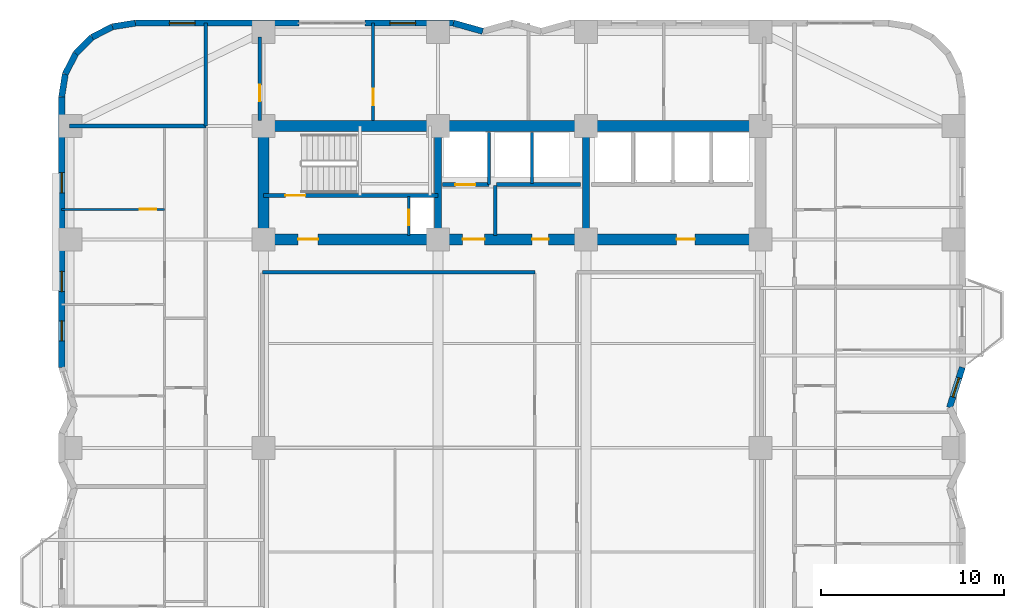
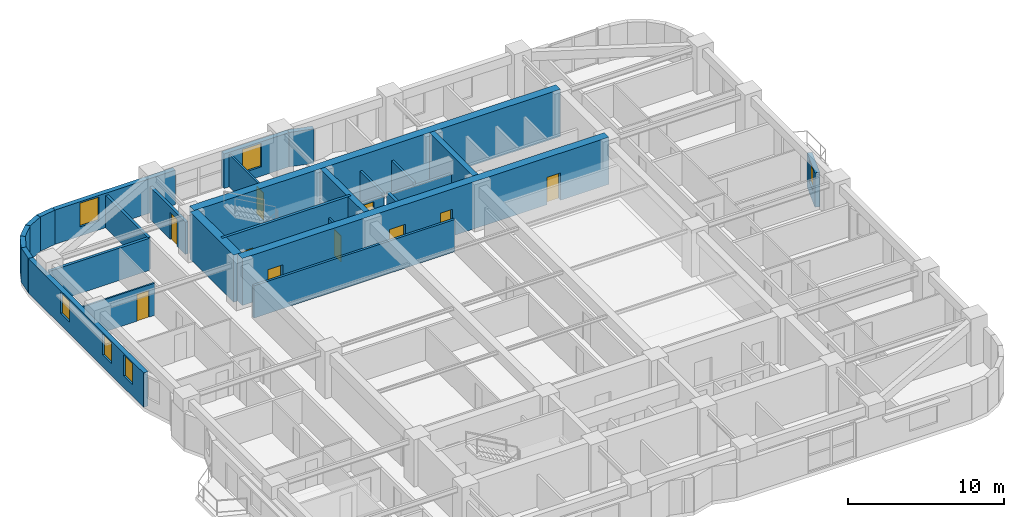
# One storey, part 9 of 13: 28 walls, 10 doors, 6 windows, 16 openings.
"""IFC4 building model written with IfcOpenShell, lengths in metres."""

from ifc_helpers import new_model, si_unit, direction, frame, frame_2d, origin, place, context, subcontext, project, spatial, rectangle, extrude, material, layer, layer_set, type_object, element, fill, save


model = new_model("IFC4")

# Units and contexts
model_context = context("Model", 3, precision=1e-05, world=origin(), true_north=direction((0.0, 1.0)))
body_context = subcontext(model_context, "Body", "Model", "MODEL_VIEW")
ifc_project = project(units=[si_unit("LENGTHUNIT", "METRE"), si_unit("AREAUNIT", "SQUARE_METRE"), si_unit("VOLUMEUNIT", "CUBIC_METRE"), si_unit("PLANEANGLEUNIT", "RADIAN"), si_unit("MASSUNIT", "GRAM", prefix="KILO")], contexts=[model_context])

# Site, building, storey
site_placement = place(None, origin())
site = spatial("IfcSite", under=ifc_project, at=site_placement, CompositionType="ELEMENT")
building_placement = place(site_placement, origin())
building = spatial("IfcBuilding", under=site, at=building_placement, Name="Svetorya Sky Lyceum", CompositionType="ELEMENT")
storey_placement = place(building_placement, frame((0.0, 0.0, 58.39990234375)))
storey = spatial("IfcBuildingStorey", under=building, at=storey_placement, Name="L14", CompositionType="ELEMENT", Elevation=58.39990234375)

# Walls
ifc_material_1 = material(Name="Concrete C40/50", Category="concrete")
ifc_layer_1 = layer(ifc_material_1, 0.39990234375)
ifc_layer_set_1 = layer_set([ifc_layer_1], Name="Concrete C40/50")
wall_type_1 = type_object("IfcWallType", Name="WL-CORE-400", PredefinedType="SHEAR", material=ifc_layer_set_1)
for number, where, z_axis, x_axis, name in (
    (1, (35.14990234375, 39.89990234375, 0.0), (0.0, 0.0, 1.0), (0.0, 1.0, 0.0), "L14 NC Internal Shear Web WEB1"),
    (2, (43.25, 39.89990234375, 0.0), (0.0, 0.0, 1.0), (0.0, 1.0, 0.0), "L14 NC Internal Shear Web WEB2"),
):
    element("IfcWall", number, at=place(storey_placement, frame(where, z_axis=z_axis, x_axis=x_axis)), inside=storey, type_object=wall_type_1, Name=name, PredefinedType="SHEAR", context=body_context, shape_type="SweptSolid", body=[
        extrude(rectangle(XDim=5.60009765625, YDim=0.39990234375, at=frame_2d((2.800048828125, 0.0))), origin(), (0.0, 0.0, 1.0), 3.7001953125),
    ])
ifc_material_2 = material(Name="Concrete C60/75", Category="concrete")
ifc_layer_2 = layer(ifc_material_2, 0.60009765625)
ifc_layer_set_2 = layer_set([ifc_layer_2], Name="Concrete C60/75")
wall_type_2 = type_object("IfcWallType", Name="WL-CORE-600", PredefinedType="SHEAR", material=ifc_layer_set_2)
wall_1_placement = place(storey_placement, frame((25.60009765625, 45.800048828125, 0.0), z_axis=(0.0, 0.0, 1.0), x_axis=(1.0, 0.0, 0.0)))
element("IfcWall", 3, at=wall_1_placement, inside=storey, type_object=wall_type_2, Name="L14 NC Outer Core Shear Wall", PredefinedType="SHEAR", context=body_context, shape_type="SweptSolid", body=[
    extrude(rectangle(XDim=27.199951171875, YDim=0.60009765625, at=frame_2d((13.60009765625, 0.0))), origin(), (0.0, 0.0, 1.0), 3.7001953125),
])
wall_2_placement = place(storey_placement, frame((25.60009765625, 39.89990234375, 0.0), z_axis=(0.0, 0.0, 1.0), x_axis=(0.0, 1.0, 0.0)))
element("IfcWall", 4, at=wall_2_placement, inside=storey, type_object=wall_type_2, Name="L14 NC West Core Shear Wall", PredefinedType="SHEAR", context=body_context, shape_type="SweptSolid", body=[
    extrude(rectangle(XDim=5.60009765625, YDim=0.60009765625, at=frame_2d((2.800048828125, 0.0))), origin(), (0.0, 0.0, 1.0), 3.7001953125),
])

# Wall, openings, doors
wall_3_placement = place(storey_placement, frame((52.800048828125, 39.60009765625, 0.0), z_axis=(0.0, 0.0, 1.0), x_axis=(-1.0, 0.0, 0.0)))
wall_3 = element("IfcWall", 5, at=wall_3_placement, inside=storey, type_object=wall_type_2, Name="L14 NC Inner Core Shear Wall", PredefinedType="SHEAR", context=body_context, shape_type="SweptSolid", body=[
    extrude(rectangle(XDim=27.199951171875, YDim=0.60009765625, at=frame_2d((13.60009765625, 0.0))), origin(), (0.0, 0.0, 1.0), 3.7001953125),
])
opening_1_placement = place(wall_3_placement, frame((24.199951171875, 0.0, 0.0)))
opening_1 = element("IfcOpeningElement", 6, at=opening_1_placement, cuts=wall_3, Name="Opening D-ST1", PredefinedType="OPENING", context=body_context, shape_type="SweptSolid", body=[
    extrude(rectangle(XDim=1.10009765625, YDim=2.14990234375, at=frame_2d((0.550048828125, 1.074951171875))), frame((0.0, 0.31005859375, 0.0), z_axis=(0.0, -1.0, 0.0), x_axis=(1.0, 0.0, 0.0)), (0.0, 0.0, 1.0), 0.6201171875),
])
opening_2_placement = place(wall_3_placement, frame((15.10009765625, 0.0, 0.0)))
opening_2 = element("IfcOpeningElement", 7, at=opening_2_placement, cuts=wall_3, Name="Opening D-FL1", PredefinedType="OPENING", context=body_context, shape_type="SweptSolid", body=[
    extrude(rectangle(XDim=1.199951171875, YDim=2.14990234375, at=frame_2d((0.60009765625, 1.074951171875))), frame((0.0, 0.31005859375, 0.0), z_axis=(0.0, -1.0, 0.0), x_axis=(1.0, 0.0, 0.0)), (0.0, 0.0, 1.0), 0.6201171875),
])
opening_3_placement = place(wall_3_placement, frame((11.60009765625, 0.0, 0.0)))
opening_3 = element("IfcOpeningElement", 8, at=opening_3_placement, cuts=wall_3, Name="Opening D-RM1", PredefinedType="OPENING", context=body_context, shape_type="SweptSolid", body=[
    extrude(rectangle(XDim=0.89990234375, YDim=2.10009765625, at=frame_2d((0.449951171875, 1.050048828125))), frame((0.0, 0.31005859375, 0.0), z_axis=(0.0, -1.0, 0.0), x_axis=(1.0, 0.0, 0.0)), (0.0, 0.0, 1.0), 0.6201171875),
])
opening_4_placement = place(wall_3_placement, frame((3.60009765625, 0.0, 0.0)))
opening_4 = element("IfcOpeningElement", 9, at=opening_4_placement, cuts=wall_3, Name="Opening D-RM2", PredefinedType="OPENING", context=body_context, shape_type="SweptSolid", body=[
    extrude(rectangle(XDim=1.0, YDim=2.14990234375, at=frame_2d((0.5, 1.074951171875))), frame((0.0, 0.31005859375, 0.0), z_axis=(0.0, -1.0, 0.0), x_axis=(1.0, 0.0, 0.0)), (0.0, 0.0, 1.0), 0.6201171875),
])
ifc_material_3 = material(Name="Powder-coated insulated galvanized stair fire door")
door_type_1 = type_object("IfcDoorType", Name="DR-FIRE-1100", OperationType="SINGLE_SWING_LEFT", PredefinedType="DOOR", material=ifc_material_3)
door_1_placement = place(opening_1_placement, origin())
door_1 = element("IfcDoor", 10, at=door_1_placement, inside=storey, type_object=door_type_1, Name="L14 North Stair Airlock Door", OperationType="SINGLE_SWING_LEFT", OverallHeight=2.14990234375, OverallWidth=1.10009765625, PredefinedType="DOOR", context=body_context, shape_type="SweptSolid", body=[
    extrude(rectangle(XDim=1.10009765625, YDim=2.14990234375, at=frame_2d((0.550048828125, 1.074951171875))), frame((0.0, 0.02490234375, 0.0), z_axis=(0.0, -1.0, 0.0), x_axis=(1.0, 0.0, 0.0)), (0.0, 0.0, 1.0), 0.050048828125),
])
fill(opening_1, door_1)
ifc_material_4 = material(Name="Powder-coated insulated galvanized fire door")
door_type_2 = type_object("IfcDoorType", Name="DR-FIRE-1200", OperationType="SINGLE_SWING_LEFT", PredefinedType="DOOR", material=ifc_material_4)
door_2_placement = place(opening_2_placement, origin())
door_2 = element("IfcDoor", 11, at=door_2_placement, inside=storey, type_object=door_type_2, Name="L14 North Firefighting Lift Lobby Door", OperationType="SINGLE_SWING_RIGHT", OverallHeight=2.14990234375, OverallWidth=1.199951171875, PredefinedType="DOOR", context=body_context, shape_type="SweptSolid", body=[
    extrude(rectangle(XDim=1.199951171875, YDim=2.14990234375, at=frame_2d((0.60009765625, 1.074951171875))), frame((0.0, 0.02490234375, 0.0), z_axis=(0.0, -1.0, 0.0), x_axis=(1.0, 0.0, 0.0)), (0.0, 0.0, 1.0), 0.050048828125),
])
fill(opening_2, door_2)
ifc_material_5 = material(Name="Solid-core oak acoustic room door")
door_type_3 = type_object("IfcDoorType", Name="DR-INT-1000", OperationType="SINGLE_SWING_LEFT", PredefinedType="DOOR", material=ifc_material_5)
door_3_placement = place(opening_4_placement, origin())
door_3 = element("IfcDoor", 12, at=door_3_placement, inside=storey, type_object=door_type_3, Name="L14 North Trunk Store Door", OperationType="SINGLE_SWING_LEFT", OverallHeight=2.14990234375, OverallWidth=1.0, PredefinedType="DOOR", context=body_context, shape_type="SweptSolid", body=[
    extrude(rectangle(XDim=1.0, YDim=2.14990234375, at=frame_2d((0.5, 1.074951171875))), frame((0.0, 0.02490234375, 0.0), z_axis=(0.0, -1.0, 0.0), x_axis=(1.0, 0.0, 0.0)), (0.0, 0.0, 1.0), 0.050048828125),
])
fill(opening_4, door_3)
ifc_material_6 = material(Name="Lacquered birch veneer internal door")
door_type_4 = type_object("IfcDoorType", Name="DR-INT-900", OperationType="SINGLE_SWING_LEFT", PredefinedType="DOOR", material=ifc_material_6)
door_4_placement = place(opening_3_placement, origin())
door_4 = element("IfcDoor", 13, at=door_4_placement, inside=storey, type_object=door_type_4, Name="L14 North Equipment Store Door", OperationType="SINGLE_SWING_LEFT", OverallHeight=2.10009765625, OverallWidth=0.89990234375, PredefinedType="DOOR", context=body_context, shape_type="SweptSolid", body=[
    extrude(rectangle(XDim=0.89990234375, YDim=2.10009765625, at=frame_2d((0.449951171875, 1.050048828125))), frame((0.0, 0.02490234375, 0.0), z_axis=(0.0, -1.0, 0.0), x_axis=(1.0, 0.0, 0.0)), (0.0, 0.0, 1.0), 0.050048828125),
])
fill(opening_3, door_4)

# Wall, opening, window
ifc_material_7 = material(Name="Putilovo limestone rainscreen on autoclaved cellular masonry", Category="masonry")
ifc_layer_3 = layer(ifc_material_7, 0.340087890625)
ifc_layer_set_3 = layer_set([ifc_layer_3], Name="Putilovo limestone rainscreen on autoclaved cellular masonry")
wall_type_3 = type_object("IfcWallType", Name="WL-EXT-340", PredefinedType="SOLIDWALL", material=ifc_layer_set_3)
wall_4_placement = place(storey_placement, frame((63.1298828125, 30.39990234375, 0.0), z_axis=(0.0, 0.0, 1.0), x_axis=(0.303256029766, 0.952909114454, 0.0)))
wall_4 = element("IfcWall", 14, at=wall_4_placement, inside=storey, type_object=wall_type_3, Name="L14 Limestone Exterior Wall 22M", PredefinedType="SOLIDWALL", context=body_context, shape_type="SweptSolid", body=[
    extrude(rectangle(XDim=2.308837890625, YDim=0.340087890625, at=frame_2d((1.154296875, 0.0))), origin(), (0.0, 0.0, 1.0), 2.7001953125),
])
opening_5_placement = place(wall_4_placement, frame((0.604248046875, 0.0, 0.889892578125)))
opening_5 = element("IfcOpeningElement", 15, at=opening_5_placement, cuts=wall_4, Name="Opening W-R3", PredefinedType="OPENING", context=body_context, shape_type="SweptSolid", body=[
    extrude(rectangle(XDim=1.10009765625, YDim=1.64990234375, at=frame_2d((0.550048828125, 0.824951171875))), frame((0.0, 0.179931640625, 0.0), z_axis=(0.0, -1.0, 0.0), x_axis=(1.0, 0.0, 0.0)), (0.0, 0.0, 1.0), 0.360107421875),
])
ifc_material_8 = material(Name="Thermally broken aluminium frame with triple low-E glazing", Category="aluminium")
window_type_1 = type_object("IfcWindowType", Name="WN-RES-110", PartitioningType="SINGLE_PANEL", PredefinedType="WINDOW", material=ifc_material_8)
window_1_placement = place(opening_5_placement, origin())
window_1 = element("IfcWindow", 16, at=window_1_placement, inside=storey, type_object=window_type_1, Name="L14 Facade Window W-R3.22M.1", OverallHeight=1.64990234375, OverallWidth=1.10009765625, PartitioningType="SINGLE_PANEL", PredefinedType="WINDOW", context=body_context, shape_type="SweptSolid", body=[
    extrude(rectangle(XDim=1.10009765625, YDim=1.64990234375, at=frame_2d((0.550048828125, 0.824951171875))), frame((0.0, 0.030029296875, 0.0), z_axis=(0.0, -1.0, 0.0), x_axis=(1.0, 0.0, 0.0)), (0.0, 0.0, 1.0), 0.06005859375),
])
fill(opening_5, window_1)

# Wall
wall_5_placement = place(storey_placement, frame((37.60009765625, 50.97998046875, 0.0), z_axis=(0.0, 0.0, 1.0), x_axis=(-0.962662902433, 0.270703040766, 0.0)))
element("IfcWall", 17, at=wall_5_placement, inside=storey, type_object=wall_type_3, Name="L14 Limestone Exterior Wall 33M", PredefinedType="SOLIDWALL", context=body_context, shape_type="SweptSolid", body=[
    extrude(rectangle(XDim=1.662109375, YDim=0.340087890625, at=frame_2d((0.8310546875, 0.0))), origin(), (0.0, 0.0, 1.0), 2.7001953125),
])

# Wall, opening, window
wall_6_placement = place(storey_placement, frame((36.0, 51.429931640625, 0.0), z_axis=(0.0, 0.0, 1.0), x_axis=(-1.0, 0.0, 0.0)))
wall_6 = element("IfcWall", 18, at=wall_6_placement, inside=storey, type_object=wall_type_3, Name="L14 Limestone Exterior Wall 34A", PredefinedType="SOLIDWALL", context=body_context, shape_type="SweptSolid", body=[
    extrude(rectangle(XDim=4.85009765625, YDim=0.340087890625, at=frame_2d((2.425048828125, 0.0))), origin(), (0.0, 0.0, 1.0), 2.7001953125),
])
opening_6_placement = place(wall_6_placement, frame((2.074951171875, 0.0, 0.72998046875)))
opening_6 = element("IfcOpeningElement", 19, at=opening_6_placement, cuts=wall_6, Name="Opening W-R2", PredefinedType="OPENING", context=body_context, shape_type="SweptSolid", body=[
    extrude(rectangle(XDim=1.39990234375, YDim=1.85009765625, at=frame_2d((0.699951171875, 0.925048828125))), frame((0.0, 0.179931640625, 0.0), z_axis=(0.0, -1.0, 0.0), x_axis=(1.0, 0.0, 0.0)), (0.0, 0.0, 1.0), 0.360107421875),
])
window_type_2 = type_object("IfcWindowType", Name="WN-RES-140", PartitioningType="SINGLE_PANEL", PredefinedType="WINDOW", material=ifc_material_8)
window_2_placement = place(opening_6_placement, origin())
window_2 = element("IfcWindow", 20, at=window_2_placement, inside=storey, type_object=window_type_2, Name="L14 Facade Window W-R2.34A.1", OverallHeight=1.85009765625, OverallWidth=1.39990234375, PartitioningType="SINGLE_PANEL", PredefinedType="WINDOW", context=body_context, shape_type="SweptSolid", body=[
    extrude(rectangle(XDim=1.39990234375, YDim=1.85009765625, at=frame_2d((0.699951171875, 0.925048828125))), frame((0.0, 0.030029296875, 0.0), z_axis=(0.0, -1.0, 0.0), x_axis=(1.0, 0.0, 0.0)), (0.0, 0.0, 1.0), 0.06005859375),
])
fill(opening_6, window_2)

wall_7_placement = place(storey_placement, frame((27.550048828125, 51.429931640625, 0.0), z_axis=(0.0, 0.0, 1.0), x_axis=(-1.0, 0.0, 0.0)))
wall_7 = element("IfcWall", 21, at=wall_7_placement, inside=storey, type_object=wall_type_3, Name="L14 Limestone Exterior Wall 34B", PredefinedType="SOLIDWALL", context=body_context, shape_type="SweptSolid", body=[
    extrude(rectangle(XDim=8.949951171875, YDim=0.340087890625, at=frame_2d((4.47509765625, 0.0))), origin(), (0.0, 0.0, 1.0), 2.7001953125),
])
opening_7_placement = place(wall_7_placement, frame((5.6875, 0.0, 0.72998046875)))
opening_7 = element("IfcOpeningElement", 22, at=opening_7_placement, cuts=wall_7, Name="Opening W-R2", PredefinedType="OPENING", context=body_context, shape_type="SweptSolid", body=[
    extrude(rectangle(XDim=1.39990234375, YDim=1.85009765625, at=frame_2d((0.699951171875, 0.925048828125))), frame((0.0, 0.179931640625, 0.0), z_axis=(0.0, -1.0, 0.0), x_axis=(1.0, 0.0, 0.0)), (0.0, 0.0, 1.0), 0.360107421875),
])
window_3_placement = place(opening_7_placement, origin())
window_3 = element("IfcWindow", 23, at=window_3_placement, inside=storey, type_object=window_type_2, Name="L14 Facade Window W-R2.34B.1", OverallHeight=1.85009765625, OverallWidth=1.39990234375, PartitioningType="SINGLE_PANEL", PredefinedType="WINDOW", context=body_context, shape_type="SweptSolid", body=[
    extrude(rectangle(XDim=1.39990234375, YDim=1.85009765625, at=frame_2d((0.699951171875, 0.925048828125))), frame((0.0, 0.030029296875, 0.0), z_axis=(0.0, -1.0, 0.0), x_axis=(1.0, 0.0, 0.0)), (0.0, 0.0, 1.0), 0.06005859375),
])
fill(opening_7, window_3)

# Walls
wall_8_placement = place(storey_placement, frame((18.60009765625, 51.429931640625, 0.0), z_axis=(0.0, 0.0, 1.0), x_axis=(-0.98771582066, -0.156260864002, 0.0)))
element("IfcWall", 24, at=wall_8_placement, inside=storey, type_object=wall_type_3, Name="L14 Limestone Exterior Wall 35M", PredefinedType="SOLIDWALL", context=body_context, shape_type="SweptSolid", body=[
    extrude(rectangle(XDim=1.2607421875, YDim=0.340087890625, at=frame_2d((0.63037109375, 0.0))), origin(), (0.0, 0.0, 1.0), 2.7001953125),
])
for number, where, z_axis, x_axis, name in (
    (25, (17.354736328125, 51.23291015625, 0.0), (0.0, 0.0, 1.0), (-0.890993689142, -0.454015689056, 0.0), "L14 Limestone Exterior Wall 36M"),
    (26, (16.231201171875, 50.660400390625, 0.0), (0.0, 0.0, 1.0), (-0.707106781187, -0.707106781187, 0.0), "L14 Limestone Exterior Wall 37M"),
    (27, (15.339599609375, 49.768798828125, 0.0), (0.0, 0.0, 1.0), (-0.454015689056, -0.890993689142, 0.0), "L14 Limestone Exterior Wall 38M"),
):
    element("IfcWall", number, at=place(storey_placement, frame(where, z_axis=z_axis, x_axis=x_axis)), inside=storey, type_object=wall_type_3, Name=name, PredefinedType="SOLIDWALL", context=body_context, shape_type="SweptSolid", body=[
        extrude(rectangle(XDim=1.260986328125, YDim=0.340087890625, at=frame_2d((0.63037109375, 0.0))), origin(), (0.0, 0.0, 1.0), 2.7001953125),
    ])
wall_9_placement = place(storey_placement, frame((14.76708984375, 48.645263671875, 0.0), z_axis=(0.0, 0.0, 1.0), x_axis=(-0.156260864002, -0.98771582066, 0.0)))
element("IfcWall", 28, at=wall_9_placement, inside=storey, type_object=wall_type_3, Name="L14 Limestone Exterior Wall 39M", PredefinedType="SOLIDWALL", context=body_context, shape_type="SweptSolid", body=[
    extrude(rectangle(XDim=1.2607421875, YDim=0.340087890625, at=frame_2d((0.63037109375, 0.0))), origin(), (0.0, 0.0, 1.0), 2.7001953125),
])

# Wall, openings, windows
wall_10_placement = place(storey_placement, frame((14.570068359375, 47.39990234375, 0.0), z_axis=(0.0, 0.0, 1.0), x_axis=(0.0, -1.0, 0.0)))
wall_10 = element("IfcWall", 29, at=wall_10_placement, inside=storey, type_object=wall_type_3, Name="L14 Limestone Exterior Wall 40M", PredefinedType="SOLIDWALL", context=body_context, shape_type="SweptSolid", body=[
    extrude(rectangle(XDim=14.7998046875, YDim=0.340087890625, at=frame_2d((7.39990234375, 0.0))), origin(), (0.0, 0.0, 1.0), 2.7001953125),
])
opening_8_placement = place(wall_10_placement, frame((4.14990234375, 0.0, 0.929931640625)))
opening_8 = element("IfcOpeningElement", 30, at=opening_8_placement, cuts=wall_10, Name="Opening W-R3", PredefinedType="OPENING", context=body_context, shape_type="SweptSolid", body=[
    extrude(rectangle(XDim=1.10009765625, YDim=1.64990234375, at=frame_2d((0.550048828125, 0.824951171875))), frame((0.0, 0.179931640625, 0.0), z_axis=(0.0, -1.0, 0.0), x_axis=(1.0, 0.0, 0.0)), (0.0, 0.0, 1.0), 0.360107421875),
])
opening_9_placement = place(wall_10_placement, frame((9.550048828125, 0.0, 0.929931640625)))
opening_9 = element("IfcOpeningElement", 31, at=opening_9_placement, cuts=wall_10, Name="Opening W-R3", PredefinedType="OPENING", context=body_context, shape_type="SweptSolid", body=[
    extrude(rectangle(XDim=1.10009765625, YDim=1.64990234375, at=frame_2d((0.550048828125, 0.824951171875))), frame((0.0, 0.179931640625, 0.0), z_axis=(0.0, -1.0, 0.0), x_axis=(1.0, 0.0, 0.0)), (0.0, 0.0, 1.0), 0.360107421875),
])
opening_10_placement = place(wall_10_placement, frame((12.25, 0.0, 0.929931640625)))
opening_10 = element("IfcOpeningElement", 32, at=opening_10_placement, cuts=wall_10, Name="Opening W-R3", PredefinedType="OPENING", context=body_context, shape_type="SweptSolid", body=[
    extrude(rectangle(XDim=1.10009765625, YDim=1.64990234375, at=frame_2d((0.550048828125, 0.824951171875))), frame((0.0, 0.179931640625, 0.0), z_axis=(0.0, -1.0, 0.0), x_axis=(1.0, 0.0, 0.0)), (0.0, 0.0, 1.0), 0.360107421875),
])
window_4_placement = place(opening_8_placement, origin())
window_4 = element("IfcWindow", 33, at=window_4_placement, inside=storey, type_object=window_type_1, Name="L14 Facade Window W-R3.40M.1", OverallHeight=1.64990234375, OverallWidth=1.10009765625, PartitioningType="SINGLE_PANEL", PredefinedType="WINDOW", context=body_context, shape_type="SweptSolid", body=[
    extrude(rectangle(XDim=1.10009765625, YDim=1.64990234375, at=frame_2d((0.550048828125, 0.824951171875))), frame((0.0, 0.030029296875, 0.0), z_axis=(0.0, -1.0, 0.0), x_axis=(1.0, 0.0, 0.0)), (0.0, 0.0, 1.0), 0.06005859375),
])
fill(opening_8, window_4)
window_5_placement = place(opening_9_placement, origin())
window_5 = element("IfcWindow", 34, at=window_5_placement, inside=storey, type_object=window_type_1, Name="L14 Facade Window W-R3.40M.2", OverallHeight=1.64990234375, OverallWidth=1.10009765625, PartitioningType="SINGLE_PANEL", PredefinedType="WINDOW", context=body_context, shape_type="SweptSolid", body=[
    extrude(rectangle(XDim=1.10009765625, YDim=1.64990234375, at=frame_2d((0.550048828125, 0.824951171875))), frame((0.0, 0.030029296875, 0.0), z_axis=(0.0, -1.0, 0.0), x_axis=(1.0, 0.0, 0.0)), (0.0, 0.0, 1.0), 0.06005859375),
])
fill(opening_9, window_5)
window_6_placement = place(opening_10_placement, origin())
window_6 = element("IfcWindow", 35, at=window_6_placement, inside=storey, type_object=window_type_1, Name="L14 Facade Window W-R3.40M.3", OverallHeight=1.64990234375, OverallWidth=1.10009765625, PartitioningType="SINGLE_PANEL", PredefinedType="WINDOW", context=body_context, shape_type="SweptSolid", body=[
    extrude(rectangle(XDim=1.10009765625, YDim=1.64990234375, at=frame_2d((0.550048828125, 0.824951171875))), frame((0.0, 0.030029296875, 0.0), z_axis=(0.0, -1.0, 0.0), x_axis=(1.0, 0.0, 0.0)), (0.0, 0.0, 1.0), 0.06005859375),
])
fill(opening_10, window_6)

# Wall, opening, door
ifc_material_9 = material(Name="Twin-stud galvanized framing with double fireboard", Category="gypsum")
ifc_layer_4 = layer(ifc_material_9, 0.1201171875)
ifc_layer_set_4 = layer_set([ifc_layer_4], Name="Twin-stud galvanized framing with double fireboard")
wall_type_4 = type_object("IfcWallType", Name="WL-PART-120", PredefinedType="PARTITIONING", material=ifc_layer_set_4)
wall_11_placement = place(storey_placement, frame((14.570068359375, 41.238037109375, 0.0), z_axis=(0.0, 0.0, 1.0), x_axis=(1.0, 0.0, 0.0)))
wall_11 = element("IfcWall", 36, at=wall_11_placement, inside=storey, type_object=wall_type_4, Name="L14 Interior Partition W2-WL3", PredefinedType="PARTITIONING", context=body_context, shape_type="SweptSolid", body=[
    extrude(rectangle(XDim=5.6298828125, YDim=0.1201171875, at=frame_2d((2.81494140625, 0.0))), origin(), (0.0, 0.0, 1.0), 2.530029296875),
])
opening_11_placement = place(wall_11_placement, frame((4.280029296875, 0.0, 0.0)))
opening_11 = element("IfcOpeningElement", 37, at=opening_11_placement, cuts=wall_11, Name="Opening D-RM1", PredefinedType="OPENING", context=body_context, shape_type="SweptSolid", body=[
    extrude(rectangle(XDim=0.89990234375, YDim=2.10009765625, at=frame_2d((0.449951171875, 1.050048828125))), frame((0.0, 0.070068359375, 0.0), z_axis=(0.0, -1.0, 0.0), x_axis=(1.0, 0.0, 0.0)), (0.0, 0.0, 1.0), 0.14013671875),
])
door_5_placement = place(opening_11_placement, origin())
door_5 = element("IfcDoor", 38, at=door_5_placement, inside=storey, type_object=door_type_4, Name="Apartment W2 Bedroom 3 Door", OperationType="SINGLE_SWING_RIGHT", OverallHeight=2.10009765625, OverallWidth=0.89990234375, PredefinedType="DOOR", context=body_context, shape_type="SweptSolid", body=[
    extrude(rectangle(XDim=0.89990234375, YDim=2.10009765625, at=frame_2d((0.449951171875, 1.050048828125))), frame((0.0, 0.02490234375, 0.0), z_axis=(0.0, -1.0, 0.0), x_axis=(1.0, 0.0, 0.0)), (0.0, 0.0, 1.0), 0.050048828125),
])
fill(opening_11, door_5)

ifc_material_10 = material(Name="Autoclaved cellular masonry blockwork with acoustic render", Category="masonry")
ifc_layer_5 = layer(ifc_material_10, 0.14990234375)
ifc_layer_set_5 = layer_set([ifc_layer_5], Name="Autoclaved cellular masonry blockwork with acoustic render")
wall_type_5 = type_object("IfcWallType", Name="WL-PART-150", PredefinedType="PARTITIONING", material=ifc_layer_set_5)
wall_12_placement = place(storey_placement, frame((33.550048828125, 39.820068359375, 0.0), z_axis=(0.0, 0.0, 1.0), x_axis=(0.0, 1.0, 0.0)))
wall_12 = element("IfcWall", 39, at=wall_12_placement, inside=storey, type_object=wall_type_5, Name="L14 Interior Partition NC-RSRW", PredefinedType="PARTITIONING", context=body_context, shape_type="SweptSolid", body=[
    extrude(rectangle(XDim=2.1298828125, YDim=0.14990234375, at=frame_2d((1.06494140625, 0.0))), origin(), (0.0, 0.0, 1.0), 2.530029296875),
])
opening_12_placement = place(wall_12_placement, frame((0.550048828125, 0.0, 0.0)))
opening_12 = element("IfcOpeningElement", 40, at=opening_12_placement, cuts=wall_12, Name="Opening D-SH1", PredefinedType="OPENING", context=body_context, shape_type="SweptSolid", body=[
    extrude(rectangle(XDim=0.85009765625, YDim=2.050048828125, at=frame_2d((0.425048828125, 1.02490234375))), frame((0.0, 0.0849609375, 0.0), z_axis=(0.0, -1.0, 0.0), x_axis=(1.0, 0.0, 0.0)), (0.0, 0.0, 1.0), 0.169921875),
])
ifc_material_11 = material(Name="Insulated galvanized riser inspection fire door")
door_type_5 = type_object("IfcDoorType", Name="DR-SHFT-850", OperationType="SINGLE_SWING_LEFT", PredefinedType="TRAPDOOR", material=ifc_material_11)
door_6_placement = place(opening_12_placement, origin())
door_6 = element("IfcDoor", 41, at=door_6_placement, inside=storey, type_object=door_type_5, Name="L14 North Riser Access Door", OperationType="SINGLE_SWING_LEFT", OverallHeight=2.050048828125, OverallWidth=0.85009765625, PredefinedType="TRAPDOOR", context=body_context, shape_type="SweptSolid", body=[
    extrude(rectangle(XDim=0.85009765625, YDim=2.050048828125, at=frame_2d((0.425048828125, 1.02490234375))), frame((0.0, 0.02490234375, 0.0), z_axis=(0.0, -1.0, 0.0), x_axis=(1.0, 0.0, 0.0)), (0.0, 0.0, 1.0), 0.050048828125),
])
fill(opening_12, door_6)

wall_13_placement = place(storey_placement, frame((31.60009765625, 46.10009765625, 0.0), z_axis=(0.0, 0.0, 1.0), x_axis=(0.0, 1.0, 0.0)))
wall_13 = element("IfcWall", 42, at=wall_13_placement, inside=storey, type_object=wall_type_5, Name="L14 Interior Partition N4-D1", PredefinedType="PARTITIONING", context=body_context, shape_type="SweptSolid", body=[
    extrude(rectangle(XDim=5.329833984375, YDim=0.14990234375, at=frame_2d((2.6650390625, 0.0))), origin(), (0.0, 0.0, 1.0), 2.530029296875),
])
opening_13_placement = place(wall_13_placement, frame((0.85009765625, 0.0, 0.0)))
opening_13 = element("IfcOpeningElement", 43, at=opening_13_placement, cuts=wall_13, Name="Opening D-RM1", PredefinedType="OPENING", context=body_context, shape_type="SweptSolid", body=[
    extrude(rectangle(XDim=0.89990234375, YDim=2.10009765625, at=frame_2d((0.449951171875, 1.050048828125))), frame((0.0, 0.0849609375, 0.0), z_axis=(0.0, -1.0, 0.0), x_axis=(1.0, 0.0, 0.0)), (0.0, 0.0, 1.0), 0.169921875),
])
door_7_placement = place(opening_13_placement, origin())
door_7 = element("IfcDoor", 44, at=door_7_placement, inside=storey, type_object=door_type_4, Name="L14 North Suite Door 1", OperationType="SINGLE_SWING_RIGHT", OverallHeight=2.10009765625, OverallWidth=0.89990234375, PredefinedType="DOOR", context=body_context, shape_type="SweptSolid", body=[
    extrude(rectangle(XDim=0.89990234375, YDim=2.10009765625, at=frame_2d((0.449951171875, 1.050048828125))), frame((0.0, 0.02490234375, 0.0), z_axis=(0.0, -1.0, 0.0), x_axis=(1.0, 0.0, 0.0)), (0.0, 0.0, 1.0), 0.050048828125),
])
fill(opening_13, door_7)

# Walls
ifc_material_12 = material(Name="Autoclaved cellular masonry blockwork with fire render", Category="masonry")
ifc_layer_6 = layer(ifc_material_12, 0.175048828125)
ifc_layer_set_6 = layer_set([ifc_layer_6], Name="Autoclaved cellular masonry blockwork with fire render")
wall_type_6 = type_object("IfcWallType", Name="WL-PART-175", PredefinedType="PARTITIONING", material=ifc_layer_set_6)
wall_14_placement = place(storey_placement, frame((37.949951171875, 42.60009765625, 0.0), z_axis=(0.0, 0.0, 1.0), x_axis=(0.0, 1.0, 0.0)))
element("IfcWall", 45, at=wall_14_placement, inside=storey, type_object=wall_type_6, Name="L14 Interior Partition NC-FL1SIDE", PredefinedType="PARTITIONING", context=body_context, shape_type="SweptSolid", body=[
    extrude(rectangle(XDim=2.849853515625, YDim=0.175048828125, at=frame_2d((1.4248046875, 0.0))), origin(), (0.0, 0.0, 1.0), 2.530029296875),
])
wall_15_placement = place(storey_placement, frame((40.300048828125, 42.64990234375, 0.0), z_axis=(0.0, 0.0, 1.0), x_axis=(0.0, 1.0, 0.0)))
element("IfcWall", 46, at=wall_15_placement, inside=storey, type_object=wall_type_6, Name="L14 Interior Partition NC-PM-D1", PredefinedType="PARTITIONING", context=body_context, shape_type="SweptSolid", body=[
    extrude(rectangle(XDim=2.800048828125, YDim=0.175048828125, at=frame_2d((1.39990234375, 0.0))), origin(), (0.0, 0.0, 1.0), 2.530029296875),
])
wall_16_placement = place(storey_placement, frame((25.550048828125, 37.800048828125, 0.0), z_axis=(0.0, 0.0, 1.0), x_axis=(1.0, 0.0, 0.0)))
element("IfcWall", 47, at=wall_16_placement, inside=storey, type_object=wall_type_6, Name="L14 Interior Partition CN-MID-W", PredefinedType="PARTITIONING", context=body_context, shape_type="SweptSolid", body=[
    extrude(rectangle(XDim=14.89990234375, YDim=0.175048828125, at=frame_2d((7.449951171875, 0.0))), origin(), (0.0, 0.0, 1.0), 2.530029296875),
])

# Wall, opening, door
ifc_material_13 = material(Name="Autoclaved cellular masonry blockwork with gypsum plaster", Category="masonry")
ifc_layer_7 = layer(ifc_material_13, 0.199951171875)
ifc_layer_set_7 = layer_set([ifc_layer_7], Name="Autoclaved cellular masonry blockwork with gypsum plaster")
wall_type_7 = type_object("IfcWallType", Name="WL-PART-200", PredefinedType="PARTITIONING", material=ifc_layer_set_7)
wall_17_placement = place(storey_placement, frame((37.949951171875, 42.60009765625, 0.0), z_axis=(0.0, 0.0, 1.0), x_axis=(-1.0, 0.0, 0.0)))
wall_17 = element("IfcWall", 48, at=wall_17_placement, inside=storey, type_object=wall_type_7, Name="L14 Interior Partition NC-FL1W", PredefinedType="PARTITIONING", context=body_context, shape_type="SweptSolid", body=[
    extrude(rectangle(XDim=2.550048828125, YDim=0.199951171875, at=frame_2d((1.27490234375, 0.0))), origin(), (0.0, 0.0, 1.0), 2.300048828125),
])
opening_14_placement = place(wall_17_placement, frame((0.75, 0.0, 0.0)))
opening_14 = element("IfcOpeningElement", 49, at=opening_14_placement, cuts=wall_17, Name="Opening LD-FL", PredefinedType="OPENING", context=body_context, shape_type="SweptSolid", body=[
    extrude(rectangle(XDim=1.10009765625, YDim=2.14990234375, at=frame_2d((0.550048828125, 1.074951171875))), frame((0.0, 0.10986328125, 0.0), z_axis=(0.0, -1.0, 0.0), x_axis=(1.0, 0.0, 0.0)), (0.0, 0.0, 1.0), 0.219970703125),
])
ifc_material_14 = material(Name="Fire-rated stainless AISI 304 firefighting lift landing door")
door_type_6 = type_object("IfcDoorType", Name="DR-LIFT-1100", OperationType="SLIDING_TO_LEFT", PredefinedType="DOOR", material=ifc_material_14)
door_8_placement = place(opening_14_placement, origin())
door_8 = element("IfcDoor", 50, at=door_8_placement, inside=storey, type_object=door_type_6, Name="L14 Firefighting Lift FL1 Landing Door", OperationType="SLIDING_TO_LEFT", OverallHeight=2.14990234375, OverallWidth=1.10009765625, PredefinedType="DOOR", context=body_context, shape_type="SweptSolid", body=[
    extrude(rectangle(XDim=1.10009765625, YDim=2.14990234375, at=frame_2d((0.550048828125, 1.074951171875))), frame((0.0, 0.02490234375, 0.0), z_axis=(0.0, -1.0, 0.0), x_axis=(1.0, 0.0, 0.0)), (0.0, 0.0, 1.0), 0.050048828125),
])
fill(opening_14, door_8)

# Walls
wall_18_placement = place(storey_placement, frame((38.280029296875, 39.820068359375, 0.0), z_axis=(0.0, 0.0, 1.0), x_axis=(0.0, 1.0, 0.0)))
element("IfcWall", 51, at=wall_18_placement, inside=storey, type_object=wall_type_7, Name="L14 Interior Partition NC-FFLDIV", PredefinedType="PARTITIONING", context=body_context, shape_type="SweptSolid", body=[
    extrude(rectangle(XDim=2.72998046875, YDim=0.199951171875, at=frame_2d((1.364990234375, 0.0))), origin(), (0.0, 0.0, 1.0), 2.530029296875),
])
wall_19_placement = place(storey_placement, frame((42.949951171875, 42.60009765625, 0.0), z_axis=(0.0, 0.0, 1.0), x_axis=(-1.0, 0.0, 0.0)))
element("IfcWall", 52, at=wall_19_placement, inside=storey, type_object=wall_type_7, Name="L14 Interior Partition NC-PM12W", PredefinedType="PARTITIONING", context=body_context, shape_type="SweptSolid", body=[
    extrude(rectangle(XDim=4.599853515625, YDim=0.199951171875, at=frame_2d((2.2998046875, 0.0))), origin(), (0.0, 0.0, 1.0), 2.300048828125),
])
wall_20_placement = place(storey_placement, frame((14.989990234375, 45.800048828125, 0.0), z_axis=(0.0, 0.0, 1.0), x_axis=(1.0, 0.0, 0.0)))
element("IfcWall", 53, at=wall_20_placement, inside=storey, type_object=wall_type_7, Name="L14 Interior Partition W-CAP-N", PredefinedType="PARTITIONING", context=body_context, shape_type="SweptSolid", body=[
    extrude(rectangle(XDim=7.4599609375, YDim=0.199951171875, at=frame_2d((3.72998046875, 0.0))), origin(), (0.0, 0.0, 1.0), 2.530029296875),
])
wall_21_placement = place(storey_placement, frame((22.449951171875, 45.800048828125, 0.0), z_axis=(0.0, 0.0, 1.0), x_axis=(0.0, 1.0, 0.0)))
element("IfcWall", 54, at=wall_21_placement, inside=storey, type_object=wall_type_7, Name="L14 Interior Partition WC-NW-END", PredefinedType="PARTITIONING", context=body_context, shape_type="SweptSolid", body=[
    extrude(rectangle(XDim=5.6298828125, YDim=0.199951171875, at=frame_2d((2.81494140625, 0.0))), origin(), (0.0, 0.0, 1.0), 2.530029296875),
])

# Wall, opening, door
wall_22_placement = place(storey_placement, frame((25.39990234375, 46.10009765625, 0.0), z_axis=(0.0, 0.0, 1.0), x_axis=(0.0, 1.0, 0.0)))
wall_22 = element("IfcWall", 55, at=wall_22_placement, inside=storey, type_object=wall_type_7, Name="L14 Interior Partition N4-EW", PredefinedType="PARTITIONING", context=body_context, shape_type="SweptSolid", body=[
    extrude(rectangle(XDim=4.579833984375, YDim=0.199951171875, at=frame_2d((2.2900390625, 0.0))), origin(), (0.0, 0.0, 1.0), 2.530029296875),
])
opening_15_placement = place(wall_22_placement, frame((1.050048828125, 0.0, 0.0)))
opening_15 = element("IfcOpeningElement", 56, at=opening_15_placement, cuts=wall_22, Name="Opening D-RM1", PredefinedType="OPENING", context=body_context, shape_type="SweptSolid", body=[
    extrude(rectangle(XDim=0.89990234375, YDim=2.10009765625, at=frame_2d((0.449951171875, 1.050048828125))), frame((0.0, 0.10986328125, 0.0), z_axis=(0.0, -1.0, 0.0), x_axis=(1.0, 0.0, 0.0)), (0.0, 0.0, 1.0), 0.219970703125),
])
door_9_placement = place(opening_15_placement, origin())
door_9 = element("IfcDoor", 57, at=door_9_placement, inside=storey, type_object=door_type_4, Name="L14 NW Study Door", OperationType="SINGLE_SWING_RIGHT", OverallHeight=2.10009765625, OverallWidth=0.89990234375, PredefinedType="DOOR", context=body_context, shape_type="SweptSolid", body=[
    extrude(rectangle(XDim=0.89990234375, YDim=2.10009765625, at=frame_2d((0.449951171875, 1.050048828125))), frame((0.0, 0.02490234375, 0.0), z_axis=(0.0, -1.0, 0.0), x_axis=(1.0, 0.0, 0.0)), (0.0, 0.0, 1.0), 0.050048828125),
])
fill(opening_15, door_9)

ifc_material_15 = material(Name="Concrete C50/60", Category="concrete")
ifc_layer_8 = layer(ifc_material_15, 0.199951171875)
ifc_layer_set_8 = layer_set([ifc_layer_8], Name="Concrete C50/60")
wall_type_8 = type_object("IfcWallType", Name="WL-SHW-200", PredefinedType="SHEAR", material=ifc_layer_set_8)
wall_23_placement = place(storey_placement, frame((35.14990234375, 42.0, 0.0), z_axis=(0.0, 0.0, 1.0), x_axis=(-1.0, 0.0, 0.0)))
wall_23 = element("IfcWall", 58, at=wall_23_placement, inside=storey, type_object=wall_type_8, Name="L14 Structural Stair Shaft Wall NC-STW", PredefinedType="SHEAR", context=body_context, shape_type="SweptSolid", body=[
    extrude(rectangle(XDim=9.5498046875, YDim=0.199951171875, at=frame_2d((4.77490234375, 0.0))), origin(), (0.0, 0.0, 1.0), 3.7001953125),
])
opening_16_placement = place(wall_23_placement, frame((7.25, 0.0, 0.0)))
opening_16 = element("IfcOpeningElement", 59, at=opening_16_placement, cuts=wall_23, Name="Opening D-ST1", PredefinedType="OPENING", context=body_context, shape_type="SweptSolid", body=[
    extrude(rectangle(XDim=1.10009765625, YDim=2.14990234375, at=frame_2d((0.550048828125, 1.074951171875))), frame((0.0, 0.10986328125, 0.0), z_axis=(0.0, -1.0, 0.0), x_axis=(1.0, 0.0, 0.0)), (0.0, 0.0, 1.0), 0.219970703125),
])
door_10_placement = place(opening_16_placement, origin())
door_10 = element("IfcDoor", 60, at=door_10_placement, inside=storey, type_object=door_type_1, Name="L14 Stair ST-N Vestibule Fire Door", OperationType="SINGLE_SWING_RIGHT", OverallHeight=2.14990234375, OverallWidth=1.10009765625, PredefinedType="DOOR", context=body_context, shape_type="SweptSolid", body=[
    extrude(rectangle(XDim=1.10009765625, YDim=2.14990234375, at=frame_2d((0.550048828125, 1.074951171875))), frame((0.0, 0.02490234375, 0.0), z_axis=(0.0, -1.0, 0.0), x_axis=(1.0, 0.0, 0.0)), (0.0, 0.0, 1.0), 0.050048828125),
])
fill(opening_16, door_10)

save(model, "model.ifc")
